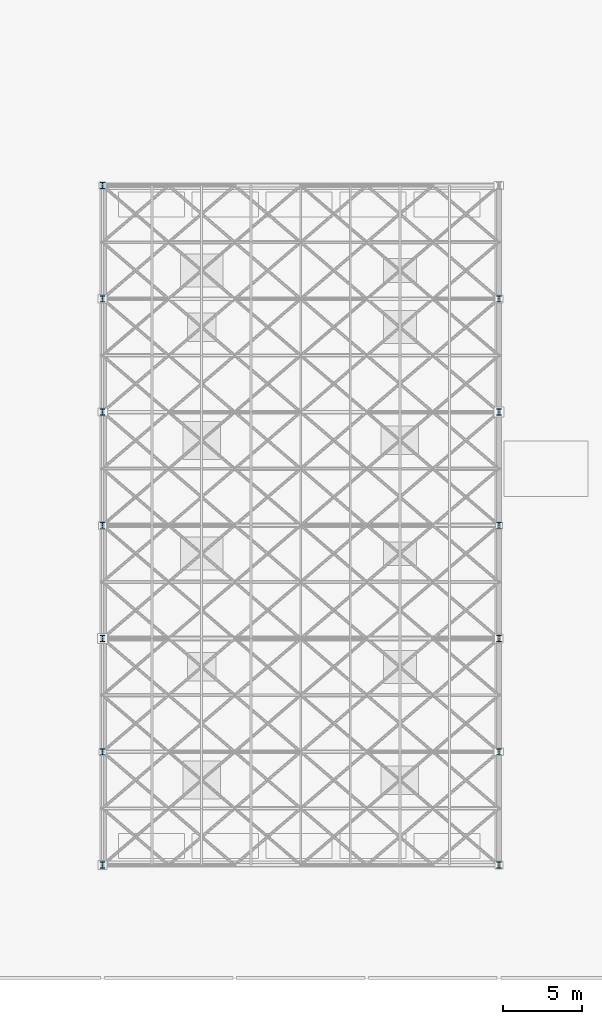
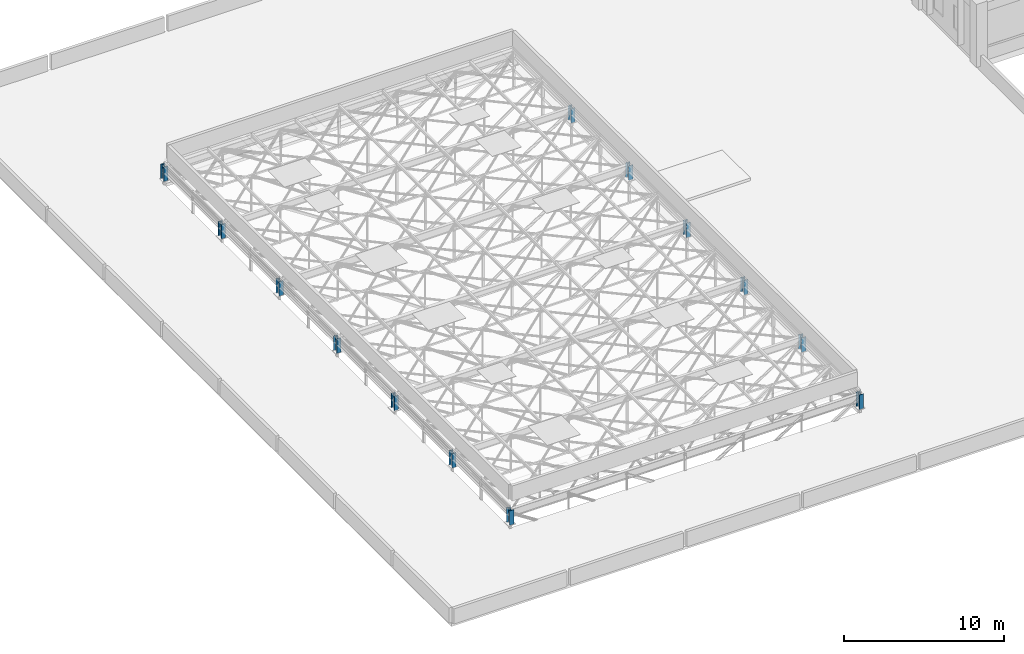
# One storey, part 1 of 45: 13 columns.
"""IFC4 building model written with IfcOpenShell, lengths in metres."""

from ifc_helpers import new_model, si_unit, derived_unit, direction, frame, origin, origin_2d, place, context, subcontext, project, spatial, i_section, extrude, material, material_profile, profile_set, type_object, element, save


model = new_model("IFC4")

# Units and contexts
model_context = context("Model", 3, precision=1e-05, world=origin(), true_north=direction((0.0, 1.0)))
body_context = subcontext(model_context, "Body", "Model", "MODEL_VIEW")
ifc_project = project(units=[si_unit("LENGTHUNIT", "METRE"), si_unit("AREAUNIT", "SQUARE_METRE"), si_unit("VOLUMEUNIT", "CUBIC_METRE"), si_unit("PLANEANGLEUNIT", "RADIAN"), si_unit("MASSUNIT", "GRAM", prefix="KILO"), derived_unit("THERMALTRANSMITTANCEUNIT", [(si_unit("MASSUNIT", "GRAM", prefix="KILO"), 1), (si_unit("TIMEUNIT", "SECOND"), -3), (si_unit("THERMODYNAMICTEMPERATUREUNIT", "KELVIN"), -1)])], contexts=[model_context])

# Site, building, storey
site_placement = place(None, origin())
site = spatial("IfcSite", under=ifc_project, at=site_placement, CompositionType="ELEMENT")
building_placement = place(site_placement, origin())
building = spatial("IfcBuilding", under=site, at=building_placement, Name="Veldstrom Oceanarium and Marine Research Institute", CompositionType="ELEMENT")
storey_placement = place(building_placement, frame((0.0, 0.0, 22.199951171875)))
storey = spatial("IfcBuildingStorey", under=building, at=storey_placement, Name="L04", CompositionType="ELEMENT", Elevation=22.199951171875)

# Columns
ifc_material = material(Name="Steel S355JR", Category="steel")
ifc_material_profile = material_profile(ifc_material, i_section(OverallWidth=0.300048828125, OverallDepth=0.39990234375, WebThickness=0.013427734375, FlangeThickness=0.02392578125, FilletRadius=0.027099609375, at=origin_2d()), Name="HEB 400")
ifc_profile_set = profile_set([ifc_material_profile], Name="Steel S355JR")
column_type = type_object("IfcColumnType", Name="STR-COL-C15", PredefinedType="COLUMN", material=ifc_profile_set)
for number, where, z_axis, x_axis, name in (
    (1, (16.800048828125, 14.39990234375, 0.0), (0.0, 0.0, 1.0), (1.0, 0.0, 0.0), "Roof Truss Pedestal Column 3/C"),
    (2, (42.0, 14.39990234375, 0.0), (0.0, 0.0, 1.0), (1.0, 0.0, 0.0), "Roof Truss Pedestal Column 6/C"),
    (3, (16.800048828125, 21.60009765625, 0.0), (0.0, 0.0, 1.0), (1.0, 0.0, 0.0), "Roof Truss Pedestal Column 3/D"),
    (4, (42.0, 21.60009765625, 0.0), (0.0, 0.0, 1.0), (1.0, 0.0, 0.0), "Roof Truss Pedestal Column 6/D"),
    (5, (16.800048828125, 28.800048828125, 0.0), (0.0, 0.0, 1.0), (1.0, 0.0, 0.0), "Roof Truss Pedestal Column 3/E"),
    (6, (42.0, 28.800048828125, 0.0), (0.0, 0.0, 1.0), (1.0, 0.0, 0.0), "Roof Truss Pedestal Column 6/E"),
    (7, (16.800048828125, 36.0, 0.0), (0.0, 0.0, 1.0), (1.0, 0.0, 0.0), "Roof Truss Pedestal Column 3/F"),
    (8, (42.0, 36.0, 0.0), (0.0, 0.0, 1.0), (1.0, 0.0, 0.0), "Roof Truss Pedestal Column 6/F"),
    (9, (16.800048828125, 43.199951171875, 0.0), (0.0, 0.0, 1.0), (1.0, 0.0, 0.0), "Roof Truss Pedestal Column 3/G"),
    (10, (42.0, 43.199951171875, 0.0), (0.0, 0.0, 1.0), (1.0, 0.0, 0.0), "Roof Truss Pedestal Column 6/G"),
    (11, (16.800048828125, 50.39990234375, 0.0), (0.0, 0.0, 1.0), (1.0, 0.0, 0.0), "Roof Truss Pedestal Column 3/H"),
    (12, (42.0, 50.39990234375, 0.0), (0.0, 0.0, 1.0), (1.0, 0.0, 0.0), "Roof Truss Pedestal Column 6/H"),
    (13, (16.800048828125, 57.60009765625, 0.0), (0.0, 0.0, 1.0), (1.0, 0.0, 0.0), "Roof Truss Pedestal Column 3/J"),
):
    element("IfcColumn", number, at=place(storey_placement, frame(where, z_axis=z_axis, x_axis=x_axis)), inside=storey, type_object=column_type, Name=name, PredefinedType="COLUMN", context=body_context, shape_type="SweptSolid", body=[
        extrude(i_section(OverallWidth=0.300048828125, OverallDepth=0.39990234375, WebThickness=0.013427734375, FlangeThickness=0.02392578125, FilletRadius=0.027099609375, at=origin_2d()), origin(), (0.0, 0.0, 1.0), 1.110107421875),
    ])

save(model, "model.ifc")
